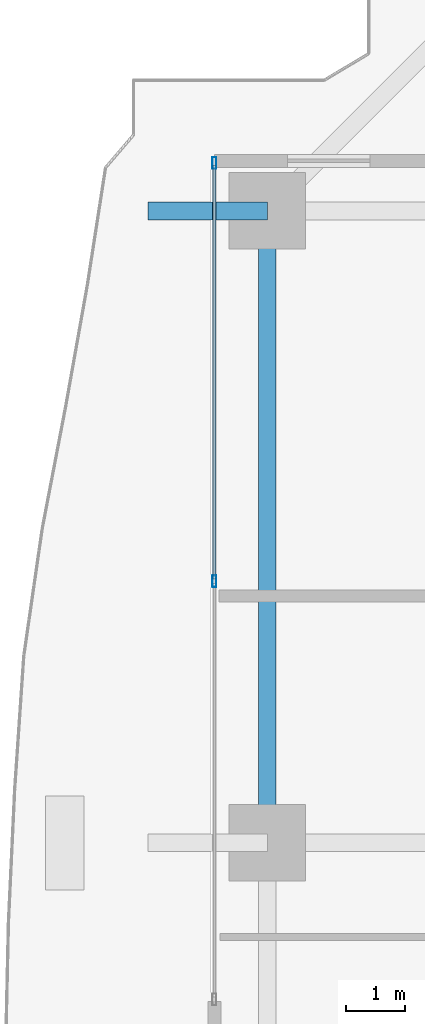
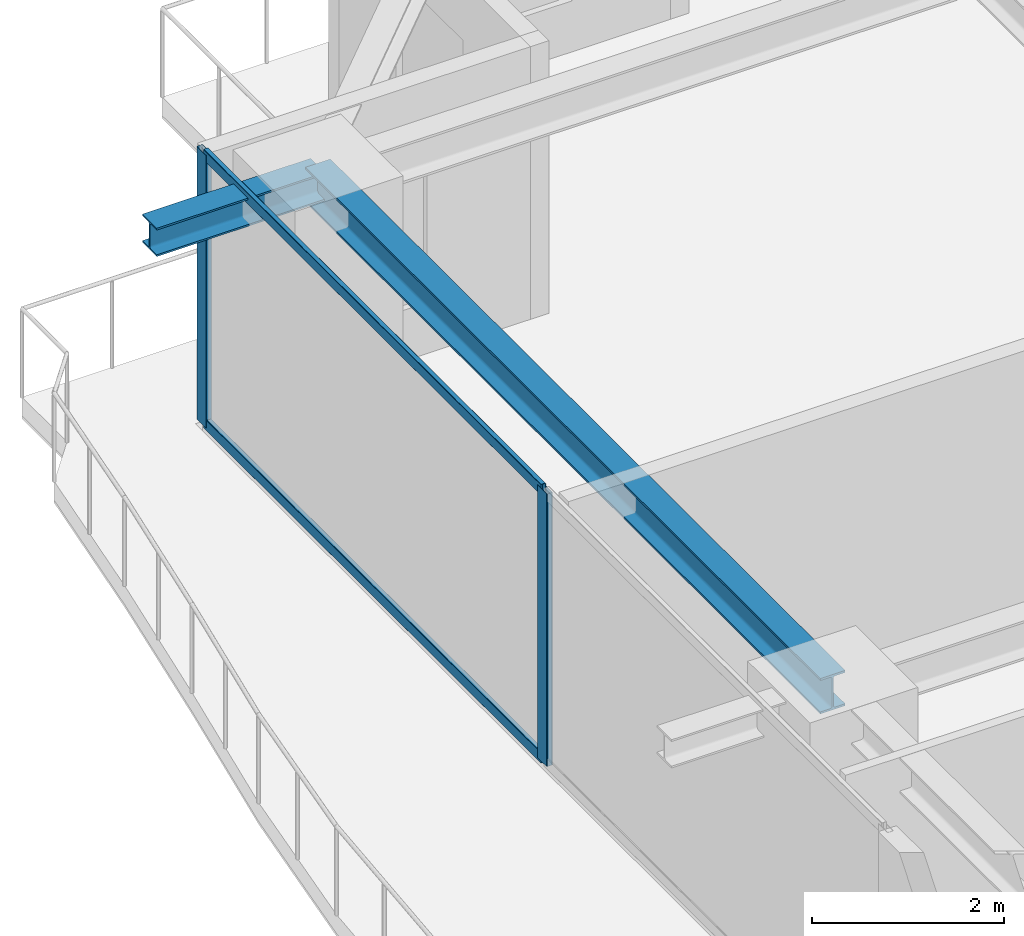
# One storey, part 16 of 34: 4 members, 2 beams, 1 element without a shape of its own.
"""IFC4 building model written with IfcOpenShell, lengths in metres."""

from ifc_helpers import new_model, si_unit, direction, frame, origin, origin_2d, place, context, subcontext, project, spatial, hollow_rectangle, i_section, extrude, source, transform, mapped, material, layer, layer_set, material_profile, profile_set, type_object, element, aggregate, save


model = new_model("IFC4")

# Units and contexts
model_context = context("Model", 3, precision=1e-05, world=origin(), true_north=direction((0.0, 1.0)))
body_context = subcontext(model_context, "Body", "Model", "MODEL_VIEW")
ifc_project = project(units=[si_unit("LENGTHUNIT", "METRE"), si_unit("AREAUNIT", "SQUARE_METRE"), si_unit("VOLUMEUNIT", "CUBIC_METRE"), si_unit("PLANEANGLEUNIT", "RADIAN"), si_unit("MASSUNIT", "GRAM", prefix="KILO")], contexts=[model_context])

# Site, building, storey
site_placement = place(None, origin())
site = spatial("IfcSite", under=ifc_project, at=site_placement, CompositionType="ELEMENT")
building_placement = place(site_placement, origin())
building = spatial("IfcBuilding", under=site, at=building_placement, Name="Serunith Strait Residences", CompositionType="ELEMENT")
storey_placement = place(building_placement, frame((0.0, 0.0, 142.64990234375)))
storey = spatial("IfcBuildingStorey", under=building, at=storey_placement, Name="L35", CompositionType="ELEMENT", Elevation=142.64990234375)

# Beams
ifc_material_1 = material(Name="Steel S355J2", Category="steel")
ifc_material_profile_1 = material_profile(ifc_material_1, i_section(OverallWidth=0.300048828125, OverallDepth=0.449951171875, WebThickness=0.013916015625, FlangeThickness=0.02587890625, FilletRadius=0.027099609375, at=origin_2d()), Name="HEB 450")
ifc_profile_set_1 = profile_set([ifc_material_profile_1], Name="Steel S355J2")
beam_type_1 = type_object("IfcBeamType", Name="BM-HEB450", PredefinedType="BEAM", material=ifc_profile_set_1)
shared_shape_1 = source(origin(), body_context, "Body", "SweptSolid", [
    extrude(i_section(OverallWidth=0.300048828125, OverallDepth=0.449951171875, WebThickness=0.013916015625, FlangeThickness=0.02587890625, FilletRadius=0.027099609375, at=origin_2d()), origin(), (0.0, 0.0, 1.0), 10.75),
])
beam_1_placement = place(storey_placement, frame((8.699951171875, 40.14990234375, 3.26220703125), z_axis=(0.0, -1.0, 0.0), x_axis=(1.0, 0.0, 0.0)))
element("IfcBeam", 1, at=beam_1_placement, inside=storey, type_object=beam_type_1, Name="L35 Perimeter Ring Beam 13", PredefinedType="BEAM", context=body_context, shape_type="MappedRepresentation", body=[
    mapped(shared_shape_1, transform((0.0, 0.0, 0.0), scale=1.0)),
])
ifc_material_profile_2 = material_profile(ifc_material_1, i_section(OverallWidth=0.300048828125, OverallDepth=0.360107421875, WebThickness=0.012451171875, FlangeThickness=0.0224609375, FilletRadius=0.027099609375, at=origin_2d()), Name="HEB 360")
ifc_profile_set_2 = profile_set([ifc_material_profile_2], Name="Steel S355J2")
beam_type_2 = type_object("IfcBeamType", Name="BM-HEB360", PredefinedType="BEAM", material=ifc_profile_set_2)
shared_shape_2 = source(origin(), body_context, "Body", "SweptSolid", [
    extrude(i_section(OverallWidth=0.300048828125, OverallDepth=0.360107421875, WebThickness=0.012451171875, FlangeThickness=0.0224609375, FilletRadius=0.027099609375, at=origin_2d()), origin(), (0.0, 0.0, 1.0), 2.030029296875),
])
beam_2_placement = place(storey_placement, frame((8.699951171875, 40.14990234375, 3.277099609375), z_axis=(-1.0, 0.0, 0.0), x_axis=(0.0, -1.0, 0.0)))
element("IfcBeam", 2, at=beam_2_placement, inside=storey, type_object=beam_type_2, Name="L36 Cantilevered Balcony Rib TC-W4", PredefinedType="BEAM", context=body_context, shape_type="MappedRepresentation", body=[
    mapped(shared_shape_2, transform((0.0, 0.0, 0.0), scale=1.0)),
])

# Curtain wall, members
ifc_material_2 = material(Name="Pale-Champagne Anodised Aluminium", Category="aluminium")
ifc_layer = layer(ifc_material_2, 0.199951171875, Name="Pale-Champagne Anodised Aluminium")
ifc_layer_set = layer_set([ifc_layer], Name="Pale-Champagne Anodised Aluminium")
curtain_wall_type = type_object("IfcCurtainWallType", Name="CW-SYS2", PredefinedType="NOTDEFINED", material=ifc_layer_set)
curtain_wall_placement = place(storey_placement, origin())
curtain_wall = element("IfcCurtainWall", 3, at=curtain_wall_placement, inside=storey, type_object=curtain_wall_type, Name="L35 W Unitised Fritted Curtain Wall", PredefinedType="NOTDEFINED")
ifc_material_profile_3 = material_profile(ifc_material_2, hollow_rectangle(XDim=0.070068359375, YDim=0.199951171875, WallThickness=0.00390625, InnerFilletRadius=0.006103515625, OuterFilletRadius=0.010009765625, at=origin_2d()), Name="ALU 200x70x4")
ifc_profile_set_3 = profile_set([ifc_material_profile_3], Name="Pale-Champagne Anodised Aluminium")
member_type_1 = type_object("IfcMemberType", Name="CW-SYS2-MULL", PredefinedType="MULLION", material=ifc_profile_set_3)
shared_shape_3 = source(origin(), body_context, "Body", "SweptSolid", [
    extrude(hollow_rectangle(XDim=0.070068359375, YDim=0.199951171875, WallThickness=0.00390625, InnerFilletRadius=0.006103515625, OuterFilletRadius=0.010009765625, at=origin_2d()), origin(), (0.0, 0.0, 1.0), 3.47509765625),
])
member_1_placement = place(storey_placement, frame((7.800048828125, 40.965087890625, 0.0), z_axis=(0.0, 0.0, 1.0), x_axis=(1.0, 0.0, 0.0)))
member_1 = element("IfcMember", 4, at=member_1_placement, type_object=member_type_1, Name="CW-2 mullion 1", PredefinedType="MULLION", context=body_context, shape_type="MappedRepresentation", body=[
    mapped(shared_shape_3, transform((0.0, 0.0, 0.0), scale=1.0)),
])
member_2_placement = place(storey_placement, frame((7.800048828125, 33.85009765625, 0.0), z_axis=(0.0, 0.0, 1.0), x_axis=(1.0, 0.0, 0.0)))
member_2 = element("IfcMember", 5, at=member_2_placement, type_object=member_type_1, Name="CW-2 mullion 2", PredefinedType="MULLION", context=body_context, shape_type="MappedRepresentation", body=[
    mapped(shared_shape_3, transform((0.0, 0.0, 0.0), scale=1.0)),
])
ifc_material_profile_4 = material_profile(ifc_material_2, hollow_rectangle(XDim=0.06005859375, YDim=0.139892578125, WallThickness=0.00341796875, InnerFilletRadius=0.00537109375, OuterFilletRadius=0.0087890625, at=origin_2d()), Name="ALU 140x60x3.5")
ifc_profile_set_4 = profile_set([ifc_material_profile_4], Name="Pale-Champagne Anodised Aluminium")
member_type_2 = type_object("IfcMemberType", Name="CW-SYS2-TRAN", PredefinedType="USERDEFINED", material=ifc_profile_set_4)
shared_shape_4 = source(origin(), body_context, "Body", "SweptSolid", [
    extrude(hollow_rectangle(XDim=0.06005859375, YDim=0.139892578125, WallThickness=0.00341796875, InnerFilletRadius=0.00537109375, OuterFilletRadius=0.0087890625, at=origin_2d()), origin(), (0.0, 0.0, 1.0), 7.044921875),
])
member_3_placement = place(storey_placement, frame((7.800048828125, 40.929931640625, 0.030029296875), z_axis=(0.0, -1.0, 0.0), x_axis=(1.0, 0.0, 0.0)))
member_3 = element("IfcMember", 6, at=member_3_placement, type_object=member_type_2, Name="CW-2 transom 1.1", ObjectType="TRANSOM", PredefinedType="USERDEFINED", context=body_context, shape_type="MappedRepresentation", body=[
    mapped(shared_shape_4, transform((0.0, 0.0, 0.0), scale=1.0)),
])
member_4_placement = place(storey_placement, frame((7.800048828125, 40.929931640625, 3.445068359375), z_axis=(0.0, -1.0, 0.0), x_axis=(1.0, 0.0, 0.0)))
member_4 = element("IfcMember", 7, at=member_4_placement, type_object=member_type_2, Name="CW-2 transom 1.2", ObjectType="TRANSOM", PredefinedType="USERDEFINED", context=body_context, shape_type="MappedRepresentation", body=[
    mapped(shared_shape_4, transform((0.0, 0.0, 0.0), scale=1.0)),
])
aggregate(curtain_wall, [member_1, member_2, member_3, member_4])

save(model, "model.ifc")
